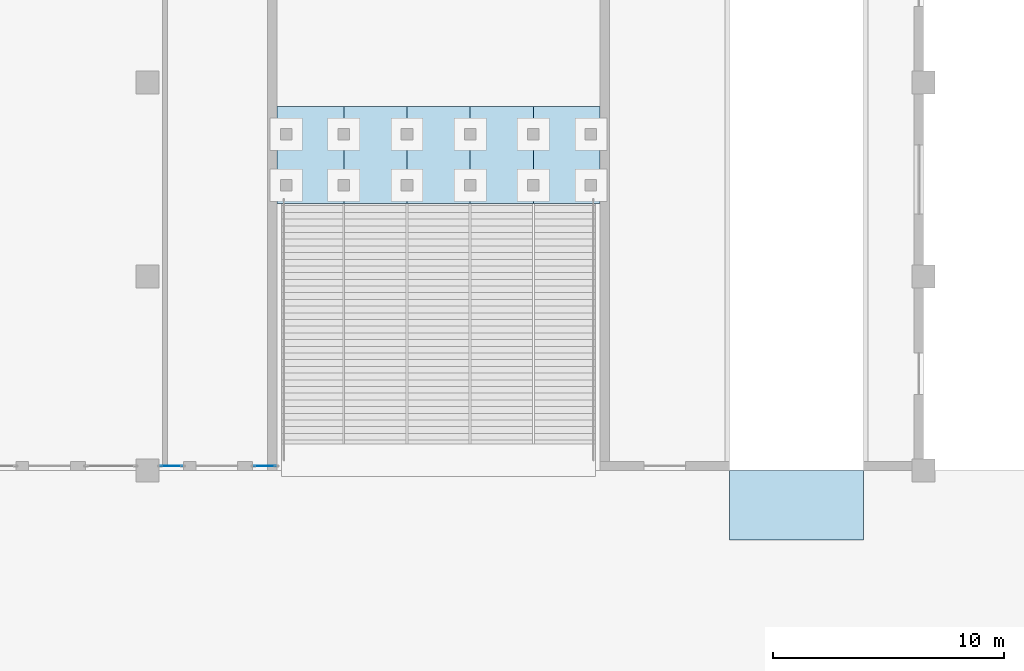
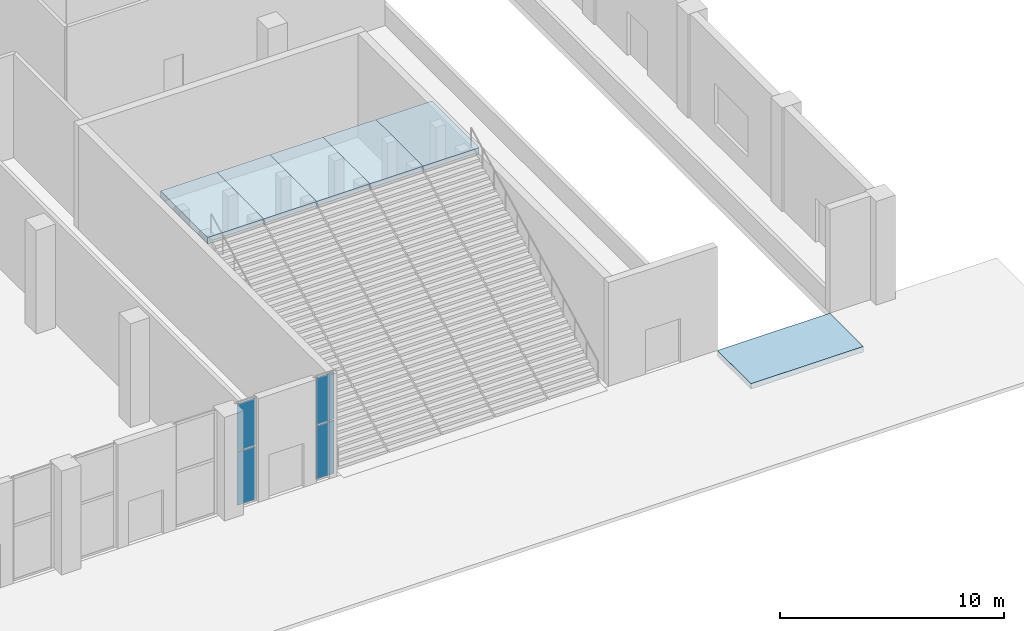
# One storey, part 11 of 25: 6 slabs, 4 plates, 7 elements without a shape of their own.
"""IFC4 building model written with IfcOpenShell, lengths in metres."""

from ifc_helpers import new_model, si_unit, direction, frame, origin, origin_2d, place, context, subcontext, project, spatial, polyline, rectangle, outline, extrude, material, layer, layer_set, type_object, element, aggregate, save


model = new_model("IFC4")

# Units and contexts
model_context = context("Model", 3, precision=1e-05, world=origin(), true_north=direction((0.0, 1.0)))
body_context = subcontext(model_context, "Body", "Model", "MODEL_VIEW")
ifc_project = project(units=[si_unit("LENGTHUNIT", "METRE"), si_unit("AREAUNIT", "SQUARE_METRE"), si_unit("VOLUMEUNIT", "CUBIC_METRE"), si_unit("PLANEANGLEUNIT", "RADIAN"), si_unit("MASSUNIT", "GRAM", prefix="KILO")], contexts=[model_context])

# Site, building, storey
site_placement = place(None, origin())
site = spatial("IfcSite", under=ifc_project, at=site_placement, CompositionType="ELEMENT")
building_placement = place(site_placement, origin())
building = spatial("IfcBuilding", under=site, at=building_placement, Name="Ostrander Bayou Hotel Tower", CompositionType="ELEMENT")
storey_placement = place(building_placement, origin())
storey = spatial("IfcBuildingStorey", under=building, at=storey_placement, Name="L00", CompositionType="ELEMENT", Elevation=0.0)

# Curtain wall, plates
ifc_material_1 = material(Name="Aluminium and clear glass", Category="aluminium")
curtain_wall_type = type_object("IfcCurtainWallType", Name="CW-LOBBY glazed wall", PredefinedType="NOTDEFINED", material=ifc_material_1)
curtain_wall_1_placement = place(storey_placement, origin())
curtain_wall_1 = element("IfcCurtainWall", 1, at=curtain_wall_1_placement, inside=storey, type_object=curtain_wall_type, Name="CW-LOBBY L00:2:A", PredefinedType="NOTDEFINED")
ifc_material_2 = material(Name="Clear laminated glass", Category="glass")
ifc_layer_1 = layer(ifc_material_2, 0.028076171875)
ifc_layer_set_1 = layer_set([ifc_layer_1], Name="CW-LO glazing panel 28 mm")
plate_type = type_object("IfcPlateType", Name="CW-LO glazing panel 28 mm", PredefinedType="CURTAIN_PANEL", material=ifc_layer_set_1)
plate_1_placement = place(storey_placement, frame((13.47509765625, -50.199951171875, 0.06005859375), z_axis=(0.0, 0.0, 1.0), x_axis=(-1.0, 0.0, 0.0)))
plate_1 = element("IfcPlate", 2, at=plate_1_placement, type_object=plate_type, Name="CW-LOBBY panel 1.1", PredefinedType="CURTAIN_PANEL", context=body_context, shape_type="SweptSolid", body=[
    extrude(rectangle(XDim=0.929931640625, YDim=0.028076171875, at=origin_2d()), origin(), (0.0, 0.0, 1.0), 2.909912109375),
])
plate_2_placement = place(storey_placement, frame((13.47509765625, -50.199951171875, 3.030029296875), z_axis=(0.0, 0.0, 1.0), x_axis=(-1.0, 0.0, 0.0)))
plate_2 = element("IfcPlate", 3, at=plate_2_placement, type_object=plate_type, Name="CW-LOBBY panel 1.2", PredefinedType="CURTAIN_PANEL", context=body_context, shape_type="SweptSolid", body=[
    extrude(rectangle(XDim=0.929931640625, YDim=0.028076171875, at=origin_2d()), origin(), (0.0, 0.0, 1.0), 2.56005859375),
])
aggregate(curtain_wall_1, [plate_1, plate_2])

curtain_wall_2_placement = place(storey_placement, origin())
curtain_wall_2 = element("IfcCurtainWall", 4, at=curtain_wall_2_placement, inside=storey, type_object=curtain_wall_type, Name="CW-LOBBY L00:2:B", PredefinedType="NOTDEFINED")
plate_3_placement = place(storey_placement, frame((9.425048828125, -50.199951171875, 0.06005859375), z_axis=(0.0, 0.0, 1.0), x_axis=(-1.0, 0.0, 0.0)))
plate_3 = element("IfcPlate", 5, at=plate_3_placement, type_object=plate_type, Name="CW-LOBBY panel 1.1", PredefinedType="CURTAIN_PANEL", context=body_context, shape_type="SweptSolid", body=[
    extrude(rectangle(XDim=0.929931640625, YDim=0.028076171875, at=origin_2d()), origin(), (0.0, 0.0, 1.0), 2.909912109375),
])
plate_4_placement = place(storey_placement, frame((9.425048828125, -50.199951171875, 3.030029296875), z_axis=(0.0, 0.0, 1.0), x_axis=(-1.0, 0.0, 0.0)))
plate_4 = element("IfcPlate", 6, at=plate_4_placement, type_object=plate_type, Name="CW-LOBBY panel 1.2", PredefinedType="CURTAIN_PANEL", context=body_context, shape_type="SweptSolid", body=[
    extrude(rectangle(XDim=0.929931640625, YDim=0.028076171875, at=origin_2d()), origin(), (0.0, 0.0, 1.0), 2.56005859375),
])
aggregate(curtain_wall_2, [plate_3, plate_4])

# Slab
ifc_material_3 = material(Name="Concrete f'c 40 MPa", Category="concrete")
ifc_layer_2 = layer(ifc_material_3, 0.300048828125)
ifc_layer_set_2 = layer_set([ifc_layer_2], Name="SL5 ramp apron slab 300 mm f'c 40 MPa")
slab_type_1 = type_object("IfcSlabType", Name="SL5 ramp apron slab 300 mm f'c 40 MPa", PredefinedType="BASESLAB", material=ifc_layer_set_2)
slab_1_placement = place(storey_placement, frame((0.0, 0.0, -0.300048828125)))
element("IfcSlab", 7, at=slab_1_placement, inside=storey, type_object=slab_type_1, Name="SL5 RAMP APRON", PredefinedType="BASESLAB", context=body_context, shape_type="SweptSolid", body=[
    extrude(outline(polyline([(39.39990234375, -53.39990234375), (39.39990234375, -50.39990234375), (33.60009765625, -50.39990234375), (33.60009765625, -53.39990234375), (39.39990234375, -53.39990234375)])), origin(), (0.0, 0.0, 1.0), 0.300048828125),
])

# Stair, slab
ifc_material_4 = material(Name="Concrete f'c 40 MPa", Category="concrete")
stair_type = type_object("IfcStairType", Name="ST9 garden stair", PredefinedType="STRAIGHT_RUN_STAIR", material=ifc_material_4)
stair_1_placement = place(storey_placement, origin())
stair_1 = element("IfcStair", 8, at=stair_1_placement, inside=storey, type_object=stair_type, Name="ST9 garden stair 1", PredefinedType="STRAIGHT_RUN_STAIR")
ifc_material_5 = material(Name="Concrete f'c 40 MPa", Category="concrete")
ifc_layer_3 = layer(ifc_material_5, 0.35009765625)
ifc_layer_set_3 = layer_set([ifc_layer_3], Name="ST9 stair landing 350 mm")
slab_type_2 = type_object("IfcSlabType", Name="ST9 stair landing 350 mm", PredefinedType="LANDING", material=ifc_layer_set_3)
slab_2_placement = place(storey_placement, frame((0.0, 0.0, 5.64990234375)))
slab_2 = element("IfcSlab", 9, at=slab_2_placement, type_object=slab_type_2, Name="ST9 landing 1", PredefinedType="LANDING", context=body_context, shape_type="SweptSolid", body=[
    extrude(outline(polyline([(14.0, -38.840087890625), (16.89599609375, -38.840087890625), (16.89599609375, -34.639892578125), (14.0, -34.639892578125), (14.0, -38.840087890625)])), origin(), (0.0, 0.0, 1.0), 0.35009765625),
])
aggregate(stair_1, [slab_2])

stair_2_placement = place(storey_placement, origin())
stair_2 = element("IfcStair", 10, at=stair_2_placement, inside=storey, type_object=stair_type, Name="ST9 garden stair 2", PredefinedType="STRAIGHT_RUN_STAIR")
slab_3_placement = place(storey_placement, frame((0.0, 0.0, 5.64990234375)))
slab_3 = element("IfcSlab", 11, at=slab_3_placement, type_object=slab_type_2, Name="ST9 landing 1", PredefinedType="LANDING", context=body_context, shape_type="SweptSolid", body=[
    extrude(outline(polyline([(16.89599609375, -38.840087890625), (19.632080078125, -38.840087890625), (19.632080078125, -34.639892578125), (16.89599609375, -34.639892578125), (16.89599609375, -38.840087890625)])), origin(), (0.0, 0.0, 1.0), 0.35009765625),
])
aggregate(stair_2, [slab_3])

stair_3_placement = place(storey_placement, origin())
stair_3 = element("IfcStair", 12, at=stair_3_placement, inside=storey, type_object=stair_type, Name="ST9 garden stair 3", PredefinedType="STRAIGHT_RUN_STAIR")
slab_4_placement = place(storey_placement, frame((0.0, 0.0, 5.64990234375)))
slab_4 = element("IfcSlab", 13, at=slab_4_placement, type_object=slab_type_2, Name="ST9 landing 1", PredefinedType="LANDING", context=body_context, shape_type="SweptSolid", body=[
    extrude(outline(polyline([(19.632080078125, -38.840087890625), (22.367919921875, -38.840087890625), (22.367919921875, -34.639892578125), (19.632080078125, -34.639892578125), (19.632080078125, -38.840087890625)])), origin(), (0.0, 0.0, 1.0), 0.35009765625),
])
aggregate(stair_3, [slab_4])

stair_4_placement = place(storey_placement, origin())
stair_4 = element("IfcStair", 14, at=stair_4_placement, inside=storey, type_object=stair_type, Name="ST9 garden stair 4", PredefinedType="STRAIGHT_RUN_STAIR")
slab_5_placement = place(storey_placement, frame((0.0, 0.0, 5.64990234375)))
slab_5 = element("IfcSlab", 15, at=slab_5_placement, type_object=slab_type_2, Name="ST9 landing 1", PredefinedType="LANDING", context=body_context, shape_type="SweptSolid", body=[
    extrude(outline(polyline([(22.367919921875, -38.840087890625), (25.10400390625, -38.840087890625), (25.10400390625, -34.639892578125), (22.367919921875, -34.639892578125), (22.367919921875, -38.840087890625)])), origin(), (0.0, 0.0, 1.0), 0.35009765625),
])
aggregate(stair_4, [slab_5])

stair_5_placement = place(storey_placement, origin())
stair_5 = element("IfcStair", 16, at=stair_5_placement, inside=storey, type_object=stair_type, Name="ST9 garden stair 5", PredefinedType="STRAIGHT_RUN_STAIR")
slab_6_placement = place(storey_placement, frame((0.0, 0.0, 5.64990234375)))
slab_6 = element("IfcSlab", 17, at=slab_6_placement, type_object=slab_type_2, Name="ST9 landing 1", PredefinedType="LANDING", context=body_context, shape_type="SweptSolid", body=[
    extrude(outline(polyline([(25.10400390625, -38.840087890625), (28.0, -38.840087890625), (28.0, -34.639892578125), (25.10400390625, -34.639892578125), (25.10400390625, -38.840087890625)])), origin(), (0.0, 0.0, 1.0), 0.35009765625),
])
aggregate(stair_5, [slab_6])

save(model, "model.ifc")
